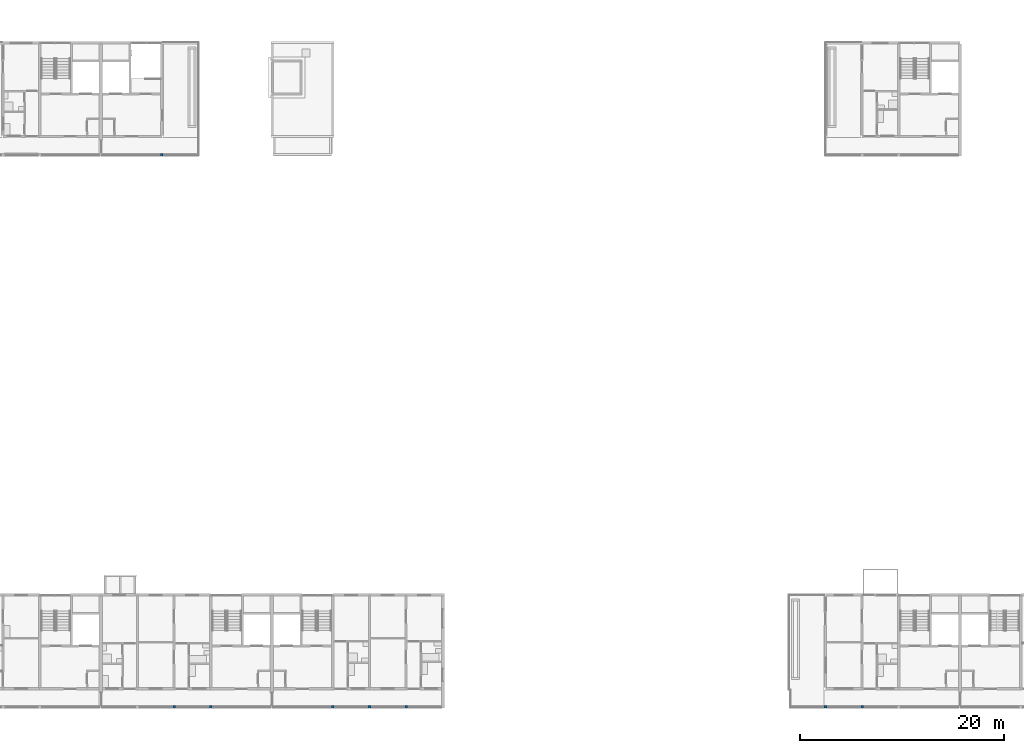
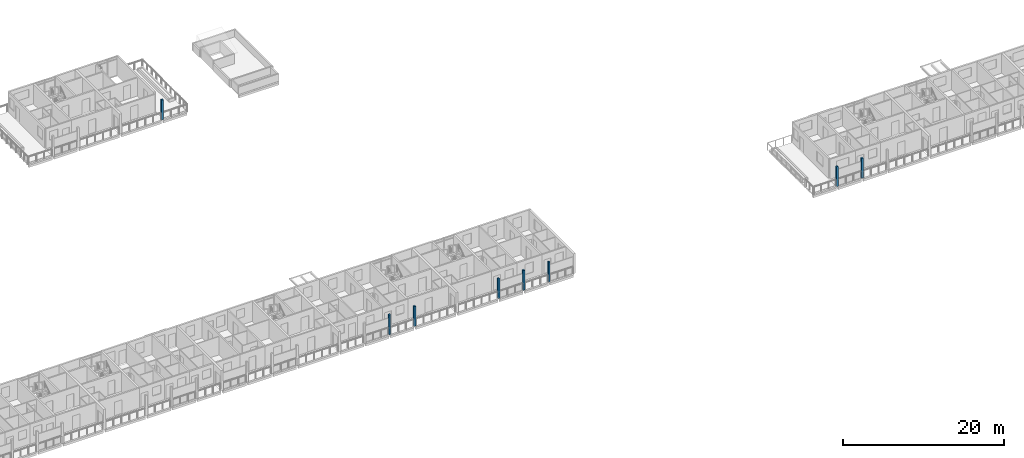
# One storey, part 2 of 87: 8 columns.
"""IFC4 building model written with IfcOpenShell, lengths in metres."""

from ifc_helpers import new_model, si_unit, direction, frame, origin, origin_2d, place, context, subcontext, project, spatial, rectangle, extrude, material, material_profile, profile_set, type_object, element, save


model = new_model("IFC4")

# Units and contexts
model_context = context("Model", 3, precision=1e-05, world=origin(), true_north=direction((0.0, 1.0)))
body_context = subcontext(model_context, "Body", "Model", "MODEL_VIEW")
ifc_project = project(units=[si_unit("LENGTHUNIT", "METRE"), si_unit("AREAUNIT", "SQUARE_METRE"), si_unit("VOLUMEUNIT", "CUBIC_METRE"), si_unit("PLANEANGLEUNIT", "RADIAN"), si_unit("MASSUNIT", "GRAM", prefix="KILO")], contexts=[model_context])

# Site, building, storey
site_placement = place(None, origin())
site = spatial("IfcSite", under=ifc_project, at=site_placement, CompositionType="ELEMENT")
building_placement = place(site_placement, origin())
building = spatial("IfcBuilding", under=site, at=building_placement, Name="Ridgestep Commons", CompositionType="ELEMENT")
storey_placement = place(building_placement, frame((0.0, 0.0, 27.0)))
storey = spatial("IfcBuildingStorey", under=building, at=storey_placement, Name="L09", CompositionType="ELEMENT", Elevation=27.0)

# Columns
ifc_material = material(Name="Precast concrete C40/50", Category="concrete")
ifc_material_profile = material_profile(ifc_material, rectangle(XDim=0.25, YDim=0.25, at=origin_2d()), Name="PC 250x250")
ifc_profile_set = profile_set([ifc_material_profile], Name="Precast concrete C40/50")
column_type = type_object("IfcColumnType", Name="Loggia column 250 x 250", PredefinedType="COLUMN", material=ifc_profile_set)
for number, where, z_axis, x_axis, name in (
    (1, (86.39990234375, 11.875, 0.0), (0.0, 0.0, 1.0), (1.0, 0.0, 0.0), "Loggia column A L09"),
    (2, (90.0, 11.875, 0.0), (0.0, 0.0, 1.0), (1.0, 0.0, 0.0), "Loggia column A L09"),
    (3, (102.0, 11.875, 0.0), (0.0, 0.0, 1.0), (1.0, 0.0, 0.0), "Loggia column A L09"),
    (4, (105.60009765625, 11.875, 0.0), (0.0, 0.0, 1.0), (1.0, 0.0, 0.0), "Loggia column A L09"),
    (5, (109.199951171875, 11.875, 0.0), (0.0, 0.0, 1.0), (1.0, 0.0, 0.0), "Loggia column A L09"),
    (6, (85.199951171875, 66.125, 0.0), (0.0, 0.0, 1.0), (1.0, 0.0, 0.0), "Loggia column B L09"),
    (7, (150.39990234375, 11.875, 0.0), (0.0, 0.0, 1.0), (1.0, 0.0, 0.0), "Loggia column D L09"),
    (8, (154.0, 11.875, 0.0), (0.0, 0.0, 1.0), (1.0, 0.0, 0.0), "Loggia column D L09"),
):
    element("IfcColumn", number, at=place(storey_placement, frame(where, z_axis=z_axis, x_axis=x_axis)), inside=storey, type_object=column_type, Name=name, PredefinedType="COLUMN", context=body_context, shape_type="SweptSolid", body=[
        extrude(rectangle(XDim=0.25, YDim=0.25, at=origin_2d()), origin(), (0.0, 0.0, 1.0), 3.0),
    ])

save(model, "model.ifc")
